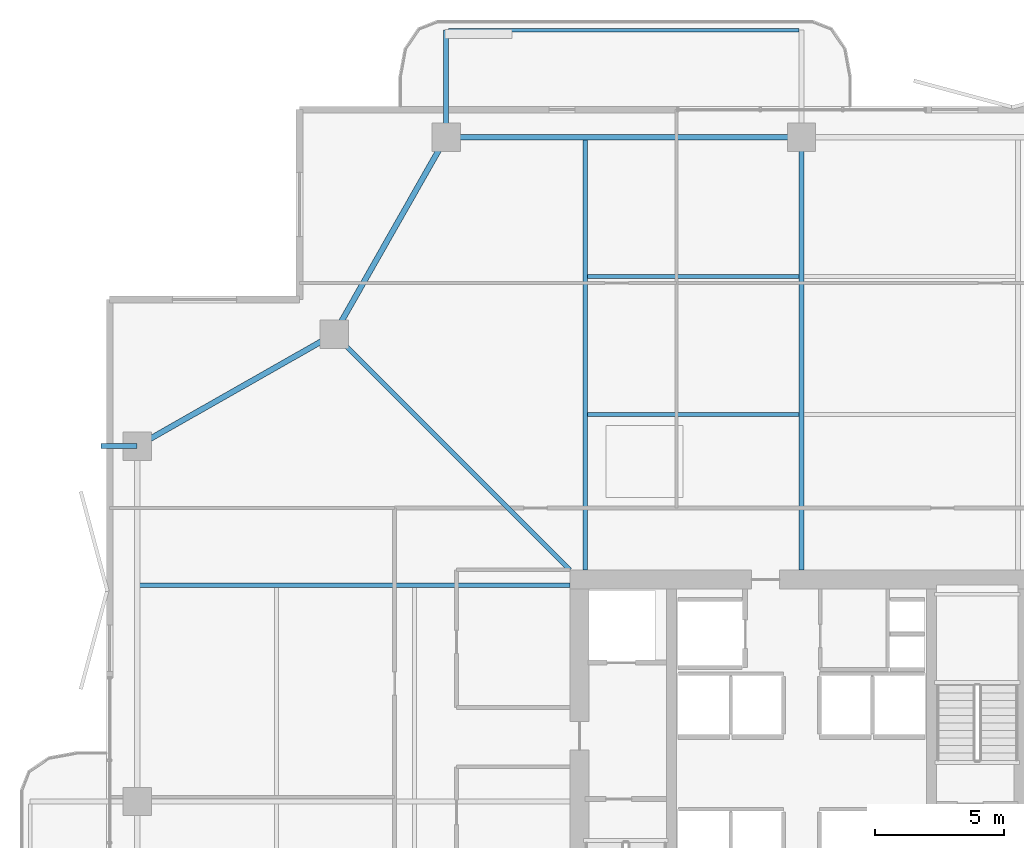
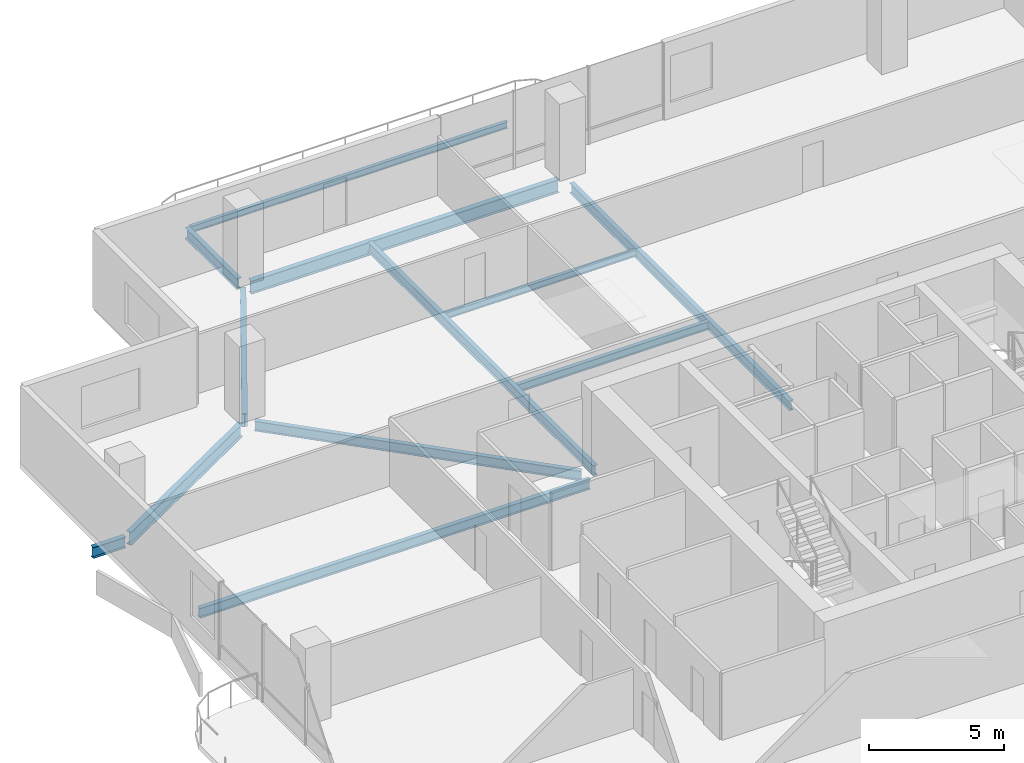
# One storey, part 10 of 24: 12 beams.
"""IFC4 building model written with IfcOpenShell, lengths in metres."""

from ifc_helpers import new_model, si_unit, direction, frame, origin, origin_2d, place, context, subcontext, project, spatial, i_section, extrude, material, material_profile, profile_set, type_object, element, save


model = new_model("IFC4")

# Units and contexts
model_context = context("Model", 3, precision=1e-05, world=origin(), true_north=direction((0.0, 1.0)))
body_context = subcontext(model_context, "Body", "Model", "MODEL_VIEW")
ifc_project = project(units=[si_unit("LENGTHUNIT", "METRE"), si_unit("AREAUNIT", "SQUARE_METRE"), si_unit("VOLUMEUNIT", "CUBIC_METRE"), si_unit("PLANEANGLEUNIT", "RADIAN"), si_unit("MASSUNIT", "GRAM", prefix="KILO")], contexts=[model_context])

# Site, building, storey
site_placement = place(None, origin())
site = spatial("IfcSite", under=ifc_project, at=site_placement, CompositionType="ELEMENT")
building_placement = place(site_placement, origin())
building = spatial("IfcBuilding", under=site, at=building_placement, Name="Belovzor Exchange Tower", CompositionType="ELEMENT")
storey_placement = place(building_placement, frame((0.0, 0.0, 237.449951171875)))
storey = spatial("IfcBuildingStorey", under=building, at=storey_placement, Name="L59", CompositionType="ELEMENT", Elevation=237.449951171875)

# Beams
ifc_material_1 = material(Name="Steel S355", Category="steel")
ifc_material_profile_1 = material_profile(ifc_material_1, i_section(OverallWidth=0.199951171875, OverallDepth=0.5, WebThickness=0.01025390625, FlangeThickness=0.01611328125, at=origin_2d()))
ifc_profile_set_1 = profile_set([ifc_material_profile_1], Name="Steel S355")
beam_type_1 = type_object("IfcBeamType", Name="Planted Balcony Cantilever Beam IPE 500", PredefinedType="BEAM", material=ifc_profile_set_1)
beam_1_placement = place(storey_placement, frame((15.0, 54.903076171875, -0.5), z_axis=(0.0, 1.0, 0.0), x_axis=(-1.0, 0.0, 0.0)))
element("IfcBeam", 1, at=beam_1_placement, inside=storey, type_object=beam_type_1, Name="BC-500 Planted Balcony Cantilever Beam IPE 500", PredefinedType="BEAM", context=body_context, shape_type="SweptSolid", body=[
    extrude(i_section(OverallWidth=0.199951171875, OverallDepth=0.5, WebThickness=0.01025390625, FlangeThickness=0.01611328125, at=origin_2d()), origin(), (0.0, 0.0, 1.0), 3.849853515625),
])
beam_2_placement = place(storey_placement, frame((3.0, 42.60009765625, -0.5), z_axis=(-1.0, 0.0, 0.0), x_axis=(0.0, -1.0, 0.0)))
element("IfcBeam", 2, at=beam_2_placement, inside=storey, type_object=beam_type_1, Name="BC-500 Planted Balcony Cantilever Beam IPE 500", PredefinedType="BEAM", context=body_context, shape_type="SweptSolid", body=[
    extrude(i_section(OverallWidth=0.199951171875, OverallDepth=0.5, WebThickness=0.01025390625, FlangeThickness=0.01611328125, at=origin_2d()), origin(), (0.0, 0.0, 1.0), 1.39990234375),
])
ifc_material_2 = material(Name="Steel S355", Category="steel")
ifc_material_profile_2 = material_profile(ifc_material_2, i_section(OverallWidth=0.14990234375, OverallDepth=0.300048828125, WebThickness=0.007080078125, FlangeThickness=0.0107421875, at=origin_2d()))
ifc_profile_set_2 = profile_set([ifc_material_profile_2], Name="Steel S355")
beam_type_2 = type_object("IfcBeamType", Name="Planted Balcony Fascia Edge Beam IPE 300", PredefinedType="BEAM", material=ifc_profile_set_2)
beam_3_placement = place(storey_placement, frame((28.699951171875, 58.7529296875, -0.39990234375), z_axis=(-1.0, 0.0, 0.0), x_axis=(0.0, -1.0, 0.0)))
element("IfcBeam", 3, at=beam_3_placement, inside=storey, type_object=beam_type_2, Name="BC-300 Planted Balcony Fascia Edge Beam IPE 300", PredefinedType="BEAM", context=body_context, shape_type="SweptSolid", body=[
    extrude(i_section(OverallWidth=0.14990234375, OverallDepth=0.300048828125, WebThickness=0.007080078125, FlangeThickness=0.0107421875, at=origin_2d()), origin(), (0.0, 0.0, 1.0), 13.599853515625),
])
ifc_material_3 = material(Name="Steel S355", Category="steel")
ifc_material_profile_3 = material_profile(ifc_material_3, i_section(OverallWidth=0.169921875, OverallDepth=0.360107421875, WebThickness=0.008056640625, FlangeThickness=0.0126953125, at=origin_2d()))
ifc_profile_set_3 = profile_set([ifc_material_profile_3], Name="Steel S355")
beam_type_3 = type_object("IfcBeamType", Name="Secondary Infill Floor Joist IPE 360", PredefinedType="BEAM", material=ifc_profile_set_3)
beam_4_placement = place(storey_placement, frame((20.4951171875, 43.827880859375, -0.429931640625), z_axis=(1.0, 0.0, 0.0), x_axis=(0.0, 1.0, 0.0)))
element("IfcBeam", 4, at=beam_4_placement, inside=storey, type_object=beam_type_3, Name="FJ-360 Secondary Infill Floor Joist IPE 360", PredefinedType="BEAM", context=body_context, shape_type="SweptSolid", body=[
    extrude(i_section(OverallWidth=0.169921875, OverallDepth=0.360107421875, WebThickness=0.008056640625, FlangeThickness=0.0126953125, at=origin_2d()), origin(), (0.0, 0.0, 1.0), 8.2099609375),
])
ifc_material_4 = material(Name="Steel S355", Category="steel")
ifc_material_profile_4 = material_profile(ifc_material_4, i_section(OverallWidth=0.14990234375, OverallDepth=0.300048828125, WebThickness=0.007080078125, FlangeThickness=0.0107421875, at=origin_2d()))
ifc_profile_set_4 = profile_set([ifc_material_profile_4], Name="Steel S355")
beam_type_4 = type_object("IfcBeamType", Name="Secondary Trim Floor Joist IPE 300", PredefinedType="BEAM", material=ifc_profile_set_4)
beam_5_placement = place(storey_placement, frame((20.4951171875, 49.18701171875, -0.39990234375), z_axis=(1.0, 0.0, 0.0), x_axis=(0.0, 1.0, 0.0)))
element("IfcBeam", 5, at=beam_5_placement, inside=storey, type_object=beam_type_4, Name="FJ-300 Secondary Trim Floor Joist IPE 300", PredefinedType="BEAM", context=body_context, shape_type="SweptSolid", body=[
    extrude(i_section(OverallWidth=0.14990234375, OverallDepth=0.300048828125, WebThickness=0.007080078125, FlangeThickness=0.0107421875, at=origin_2d()), origin(), (0.0, 0.0, 1.0), 8.2099609375),
])
ifc_material_5 = material(Name="Steel S355", Category="steel")
ifc_material_profile_5 = material_profile(ifc_material_5, i_section(OverallWidth=0.18994140625, OverallDepth=0.449951171875, WebThickness=0.009521484375, FlangeThickness=0.0146484375, at=origin_2d()))
ifc_profile_set_5 = profile_set([ifc_material_profile_5], Name="Steel S355")
beam_type_5 = type_object("IfcBeamType", Name="Zone 2-4 Radial Composite Floor Beam IPE 450", PredefinedType="BEAM", material=ifc_profile_set_5)
beam_6_placement = place(storey_placement, frame((20.39990234375, 37.800048828125, -0.474853515625), z_axis=(0.0, 1.0, 0.0), x_axis=(-1.0, 0.0, 0.0)))
element("IfcBeam", 6, at=beam_6_placement, inside=storey, type_object=beam_type_5, Name="FB-450 Zone 2-4 Radial Composite Floor Beam IPE 450", PredefinedType="BEAM", context=body_context, shape_type="SweptSolid", body=[
    extrude(i_section(OverallWidth=0.18994140625, OverallDepth=0.449951171875, WebThickness=0.009521484375, FlangeThickness=0.0146484375, at=origin_2d()), origin(), (0.0, 0.0, 1.0), 16.744873046875),
])
beam_7_placement = place(storey_placement, frame((28.800048828125, 37.800048828125, -0.474853515625), z_axis=(0.0, 1.0, 0.0), x_axis=(-1.0, 0.0, 0.0)))
element("IfcBeam", 7, at=beam_7_placement, inside=storey, type_object=beam_type_5, Name="FB-450 Zone 2-4 Radial Composite Floor Beam IPE 450", PredefinedType="BEAM", context=body_context, shape_type="SweptSolid", body=[
    extrude(i_section(OverallWidth=0.18994140625, OverallDepth=0.449951171875, WebThickness=0.009521484375, FlangeThickness=0.0146484375, at=origin_2d()), origin(), (0.0, 0.0, 1.0), 16.31591796875),
])
beam_8_placement = place(storey_placement, frame((19.800048828125, 37.199951171875, -0.474853515625), z_axis=(-1.0, 0.0, 0.0), x_axis=(0.0, -1.0, 0.0)))
element("IfcBeam", 8, at=beam_8_placement, inside=storey, type_object=beam_type_5, Name="FB-450 Zone 2-4 Radial Composite Floor Beam IPE 450", PredefinedType="BEAM", context=body_context, shape_type="SweptSolid", body=[
    extrude(i_section(OverallWidth=0.18994140625, OverallDepth=0.449951171875, WebThickness=0.009521484375, FlangeThickness=0.0146484375, at=origin_2d()), origin(), (0.0, 0.0, 1.0), 16.7451171875),
])
beam_9_placement = place(storey_placement, frame((19.800048828125, 37.800048828125, -0.474853515625), z_axis=(-0.707106781187, 0.707106781187, 0.0), x_axis=(-0.707106781187, -0.707106781187, 0.0)))
element("IfcBeam", 9, at=beam_9_placement, inside=storey, type_object=beam_type_5, Name="FB-450 Zone 2-4 Radial Composite Floor Beam IPE 450", PredefinedType="BEAM", context=body_context, shape_type="SweptSolid", body=[
    extrude(i_section(OverallWidth=0.18994140625, OverallDepth=0.449951171875, WebThickness=0.009521484375, FlangeThickness=0.0146484375, at=origin_2d()), origin(), (0.0, 0.0, 1.0), 12.551025390625),
])
ifc_material_6 = material(Name="Steel S355", Category="steel")
ifc_material_profile_6 = material_profile(ifc_material_6, i_section(OverallWidth=0.219970703125, OverallDepth=0.60009765625, WebThickness=0.011962890625, FlangeThickness=0.01904296875, at=origin_2d()))
ifc_profile_set_6 = profile_set([ifc_material_profile_6], Name="Steel S355")
beam_type_6 = type_object("IfcBeamType", Name="Zone 4 Flare Primary Girder IPE 600", PredefinedType="BEAM", material=ifc_profile_set_6)
beam_10_placement = place(storey_placement, frame((28.498046875, 54.60009765625, -0.550048828125), z_axis=(-1.0, 0.0, 0.0), x_axis=(0.0, -1.0, 0.0)))
element("IfcBeam", 10, at=beam_10_placement, inside=storey, type_object=beam_type_6, Name="FG-Z4 Zone 4 Flare Primary Girder IPE 600", PredefinedType="BEAM", context=body_context, shape_type="SweptSolid", body=[
    extrude(i_section(OverallWidth=0.219970703125, OverallDepth=0.60009765625, WebThickness=0.011962890625, FlangeThickness=0.01904296875, at=origin_2d()), origin(), (0.0, 0.0, 1.0), 13.195068359375),
])
for number, where, z_axis, x_axis, name in (
    (11, (14.85009765625, 54.3369140625, -0.550048828125), (-0.494222323641, -0.869335547884, 0.0), (0.869335547884, -0.494222323641, 0.0), "FG-Z4 Zone 4 Flare Primary Girder IPE 600"),
    (12, (10.386962890625, 46.800048828125, -0.550048828125), (-0.869335547884, -0.494222323641, 0.0), (0.494222323641, -0.869335547884, 0.0), "FG-Z4 Zone 4 Flare Primary Girder IPE 600"),
):
    element("IfcBeam", number, at=place(storey_placement, frame(where, z_axis=z_axis, x_axis=x_axis)), inside=storey, type_object=beam_type_6, Name=name, PredefinedType="BEAM", context=body_context, shape_type="SweptSolid", body=[
        extrude(i_section(OverallWidth=0.219970703125, OverallDepth=0.60009765625, WebThickness=0.011962890625, FlangeThickness=0.01904296875, at=origin_2d()), origin(), (0.0, 0.0, 1.0), 8.19482421875),
    ])

save(model, "model.ifc")
